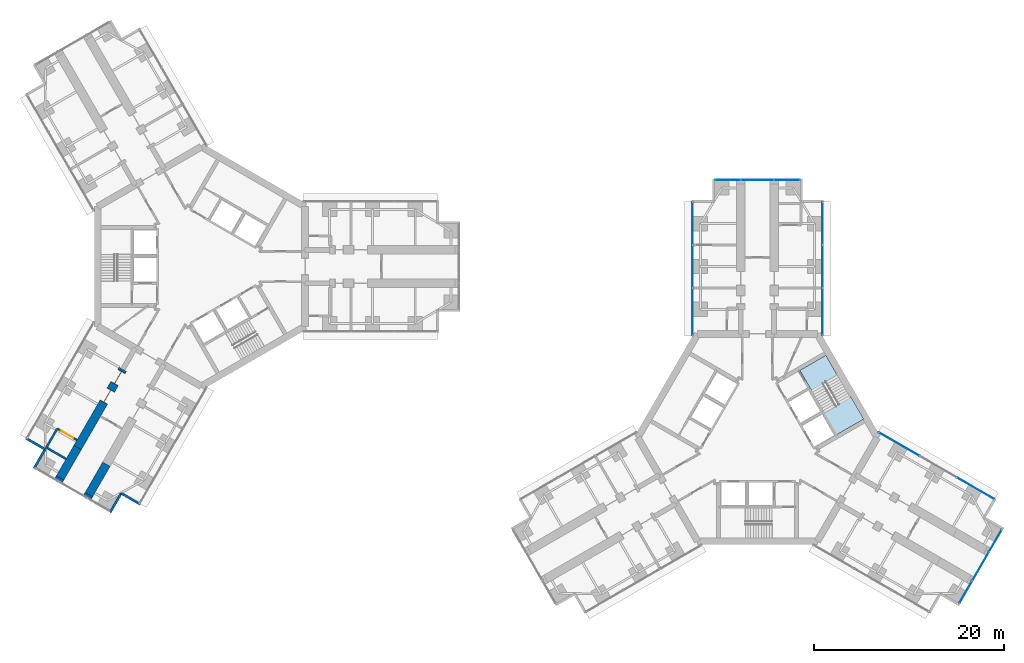
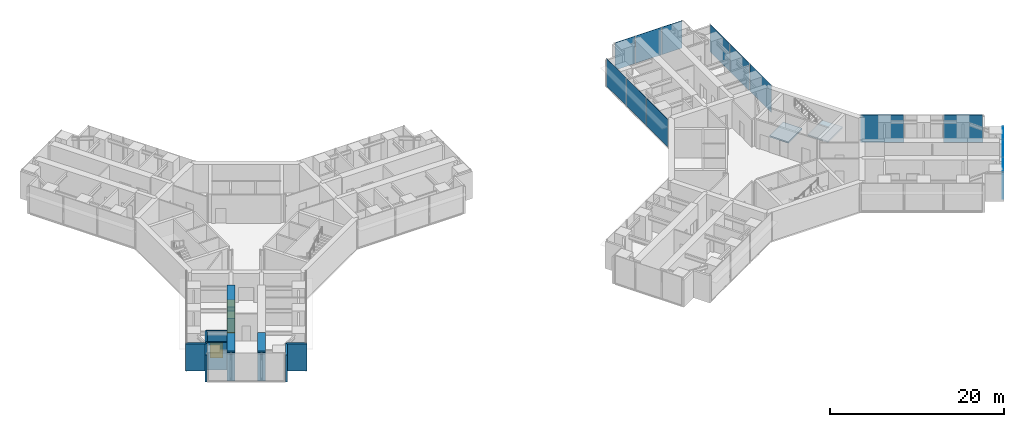
# One storey, part 15 of 23: 14 plates, 12 walls, 3 doors, 2 slabs, 3 openings, 6 elements without a shape of their own.
"""IFC4 building model written with IfcOpenShell, lengths in metres."""

import ifcopenshell
import ifcopenshell.guid

model = None  # the IFC model being written
_history = None  # IfcOwnerHistory: only IFC2X3 demands one
_inside = {}  # id of a spatial element -> (the spatial element, [elements in it])
_under = {}  # id of a project, library or spatial element -> (it, [spatial elements below it])
_declared = {}  # id of a project -> (the project, [libraries it declares])
_typed = {}  # id of a type object -> (the type object, [elements of that type])
_made_of = {}  # id of a material, layer set ... -> (it, [elements and type objects made of it])


def new_model(schema):
    """Start an empty IFC model of exactly this schema.

    Asked for "IFC4X3", IfcOpenShell would pick the latest addendum, in which some entities
    have other attributes; the version numbers below select the first issue.
    IFC2X3 requires an IfcOwnerHistory on every rooted entity: one is made here for all.
    """
    global model, _history
    if schema == "IFC4X3":
        model = ifcopenshell.file(schema_version=(4, 3, 0, 0))
    else:
        model = ifcopenshell.file(schema=schema)
    _inside.clear()
    _under.clear()
    _declared.clear()
    _typed.clear()
    _made_of.clear()
    _history = None
    if model.schema == "IFC2X3":
        org = make("IfcOrganization", Name="unknown")
        user = make(
            "IfcPersonAndOrganization",
            ThePerson=make("IfcPerson", FamilyName="unknown"),
            TheOrganization=org,
        )
        app = make(
            "IfcApplication",
            ApplicationDeveloper=org,
            Version="unknown",
            ApplicationFullName="unknown",
            ApplicationIdentifier="unknown",
        )
        _history = make(
            "IfcOwnerHistory",
            OwningUser=user,
            OwningApplication=app,
            ChangeAction="ADDED",
            CreationDate=0,
        )
    return model


def make(cls, **values):
    """One entity of the class cls with the attributes given. An attribute that is None is left unset."""
    return model.create_entity(
        cls, **{name: value for name, value in values.items() if value is not None}
    )


def rooted(cls, **values):
    """An entity with a GlobalId (a new one), such as an element, a storey or a relation."""
    return make(cls, GlobalId=ifcopenshell.guid.new(), OwnerHistory=_history, **values)


def si_unit(unit_type, name, prefix=None):
    """IfcSIUnit, for example si_unit("LENGTHUNIT", "METRE", prefix="MILLI")."""
    return make("IfcSIUnit", UnitType=unit_type, Prefix=prefix, Name=name)


def assignment(units):
    """IfcUnitAssignment: the units of a project."""
    return None if units is None else make("IfcUnitAssignment", Units=units)


def point(xyz):
    """IfcCartesianPoint."""
    return None if xyz is None else make("IfcCartesianPoint", Coordinates=xyz)


def direction(xyz):
    """IfcDirection."""
    return None if xyz is None else make("IfcDirection", DirectionRatios=xyz)


def frame(location, z_axis=None, x_axis=None):
    """IfcAxis2Placement3D, a coordinate frame: its origin and axes. An axis left out is left unset."""
    return make(
        "IfcAxis2Placement3D",
        Location=point(location),
        Axis=direction(z_axis),
        RefDirection=direction(x_axis),
    )


def frame_2d(location, x_axis=None):
    """IfcAxis2Placement2D, a coordinate frame in the plane: its origin and x axis."""
    return make(
        "IfcAxis2Placement2D", Location=point(location), RefDirection=direction(x_axis)
    )


def origin():
    """The frame at (0, 0, 0) with its axes left unset."""
    return frame((0.0, 0.0, 0.0))


def origin_2d():
    """The frame at (0, 0) in the plane with its x axis left unset."""
    return frame_2d((0.0, 0.0))


def place(relative_to, where):
    """IfcLocalPlacement: puts the frame where relative to a parent placement (None: the world)."""
    return make(
        "IfcLocalPlacement", PlacementRelTo=relative_to, RelativePlacement=where
    )


def context(
    kind, dimensions, precision=None, world=None, true_north=None, identifier=None
):
    """IfcGeometricRepresentationContext, for example the 3D "Model" context."""
    return make(
        "IfcGeometricRepresentationContext",
        ContextIdentifier=identifier,
        ContextType=kind,
        CoordinateSpaceDimension=dimensions,
        Precision=precision,
        WorldCoordinateSystem=world,
        TrueNorth=true_north,
    )


def subcontext(parent, identifier, kind, view, scale=None):
    """IfcGeometricRepresentationSubContext, for example "Body" below "Model"."""
    return make(
        "IfcGeometricRepresentationSubContext",
        ContextIdentifier=identifier,
        ContextType=kind,
        ParentContext=parent,
        TargetScale=scale,
        TargetView=view,
    )


def project(units=None, contexts=None):
    """IfcProject with its units and contexts."""
    return rooted(
        "IfcProject",
        Name="project",
        RepresentationContexts=contexts,
        UnitsInContext=assignment(units),
    )


def spatial(cls, under=None, at=None, **own):
    """A site, building, storey or space (cls), placed at a placement, below another one or the project."""
    s = rooted(cls, ObjectPlacement=at, **own)
    if under is not None:
        _under.setdefault(under.id(), (under, []))[1].append(s)
    return s


def polyline(points):
    """IfcPolyline through the points."""
    return make("IfcPolyline", Points=[point(p) for p in points])


def profile(cls, at=None, kind="AREA", **sizes):
    """A parametric profile (cls). Its sizes go by their IFC names, for example OverallWidth=200.0."""
    return make(cls, ProfileType=kind, Position=at, **sizes)


def rectangle(**sizes):
    """IfcRectangleProfileDef."""
    return profile("IfcRectangleProfileDef", **sizes)


def outline(outer, holes=None, kind="AREA"):
    """IfcArbitraryClosedProfileDef: a profile drawn as a closed curve; with holes, ...WithVoids."""
    if holes is None:
        return make("IfcArbitraryClosedProfileDef", ProfileType=kind, OuterCurve=outer)
    return make(
        "IfcArbitraryProfileDefWithVoids",
        ProfileType=kind,
        OuterCurve=outer,
        InnerCurves=holes,
    )


def extrude(swept, where, along, depth):
    """IfcExtrudedAreaSolid: the profile swept, set in the frame where, extruded along a direction by depth."""
    return make(
        "IfcExtrudedAreaSolid",
        SweptArea=swept,
        Position=where,
        ExtrudedDirection=direction(along),
        Depth=depth,
    )


def shape(context_of_items, identifier, shape_type, items):
    """IfcShapeRepresentation: the items that make up one representation, for example the "Body"."""
    return make(
        "IfcShapeRepresentation",
        ContextOfItems=context_of_items,
        RepresentationIdentifier=identifier,
        RepresentationType=shape_type,
        Items=items,
    )


def material(Name=None, Category=None):
    """IfcMaterial."""
    return make("IfcMaterial", Name=Name, Category=Category)


def layer(
    of_material, thickness, ventilated=None, Name=None, Category=None, Priority=None
):
    """IfcMaterialLayer: one layer of a wall or slab, of a material (None: an air gap)."""
    return make(
        "IfcMaterialLayer",
        Material=of_material,
        LayerThickness=thickness,
        IsVentilated=ventilated,
        Name=Name,
        Category=Category,
        Priority=Priority,
    )


def layer_set(layers, Name=None):
    """IfcMaterialLayerSet."""
    return make("IfcMaterialLayerSet", MaterialLayers=layers, LayerSetName=Name)


def made_of(thing, what):
    """Note that an element or type object is made of a material, layer set ...; save() writes the relation."""
    if what is not None:
        _made_of.setdefault(what.id(), (what, []))[1].append(thing)
    return thing


def type_object(cls, material=None, **own):
    """A type object (cls), such as IfcWallType, which elements share."""
    return made_of(rooted(cls, **own), material)


def element(
    cls,
    number,
    at=None,
    inside=None,
    cuts=None,
    type_object=None,
    material=None,
    context=None,
    identifier="Body",
    shape_type=None,
    held_by="IfcProductDefinitionShape",
    body=None,
    shapes=None,
    **own,
):
    """One element of the class cls, such as IfcWall. Its Tag is "e" and its number.

    at: its placement. inside: the storey or other place that contains it. cuts: it is an
    opening in that element (IfcRelVoidsElement). A single representation is given by context,
    identifier, shape_type and body (its items); several are given by shapes. held_by: the class
    of the entity that holds the representations. save() writes the other relations.
    """
    e = rooted(cls, Tag="e%d" % number, ObjectPlacement=at, **own)
    if body is not None:
        shapes = [shape(context, identifier, shape_type, body)]
    if shapes is not None:
        e.Representation = make(held_by, Representations=shapes)
    if inside is not None:
        _inside.setdefault(inside.id(), (inside, []))[1].append(e)
    if cuts is not None:
        rooted(
            "IfcRelVoidsElement", RelatingBuildingElement=cuts, RelatedOpeningElement=e
        )
    if type_object is not None:
        _typed.setdefault(type_object.id(), (type_object, []))[1].append(e)
    return made_of(e, material)


def fill(opening, filler):
    """IfcRelFillsElement: the door or window that sits in an opening."""
    return rooted(
        "IfcRelFillsElement",
        RelatingOpeningElement=opening,
        RelatedBuildingElement=filler,
    )


def aggregate(whole, parts):
    """IfcRelAggregates: a whole, such as a stair, and the parts it consists of."""
    return rooted("IfcRelAggregates", RelatingObject=whole, RelatedObjects=parts)


def save(model, path):
    """Write the relations noted so far, then the file.

    IfcRelAggregates (storeys below a building ...), IfcRelContainedInSpatialStructure (elements
    in a storey), IfcRelDefinesByType, IfcRelAssociatesMaterial and IfcRelDeclares: one each for
    every whole, place, type object, material and project.
    """
    for whole, parts in _under.values():
        aggregate(whole, parts)
    for where, things in _inside.values():
        rooted(
            "IfcRelContainedInSpatialStructure",
            RelatedElements=things,
            RelatingStructure=where,
        )
    for kind, things in _typed.values():
        rooted("IfcRelDefinesByType", RelatedObjects=things, RelatingType=kind)
    for what, things in _made_of.values():
        rooted("IfcRelAssociatesMaterial", RelatedObjects=things, RelatingMaterial=what)
    for by, libraries in _declared.values():
        rooted("IfcRelDeclares", RelatingContext=by, RelatedDefinitions=libraries)
    model.write(path)


model = new_model("IFC4")

# Units and contexts
model_context = context("Model", 3, precision=1e-05, world=origin(), true_north=direction((0.0, 1.0)))
body_context = subcontext(model_context, "Body", "Model", "MODEL_VIEW")
ifc_project = project(units=[si_unit("LENGTHUNIT", "METRE"), si_unit("AREAUNIT", "SQUARE_METRE"), si_unit("VOLUMEUNIT", "CUBIC_METRE"), si_unit("PLANEANGLEUNIT", "RADIAN"), si_unit("MASSUNIT", "GRAM", prefix="KILO")], contexts=[model_context])

# Site, building, storey
site_placement = place(None, origin())
site = spatial("IfcSite", under=ifc_project, at=site_placement, CompositionType="ELEMENT")
building_placement = place(site_placement, origin())
building = spatial("IfcBuilding", under=site, at=building_placement, Name="Upepo Twin Towers", CompositionType="ELEMENT")
storey_placement = place(building_placement, frame((0.0, 0.0, 24.5)))
storey = spatial("IfcBuildingStorey", under=building, at=storey_placement, Name="L05", CompositionType="ELEMENT", Elevation=24.5)

# Curtain wall, plates
ifc_material_1 = material(Name="Aluminium and fritted glass", Category="aluminium")
curtain_wall_type = type_object("IfcCurtainWallType", Name="Tower curtain wall TW1, fritted glass", PredefinedType="NOTDEFINED", material=ifc_material_1)
curtain_wall_1_placement = place(storey_placement, origin())
curtain_wall_1 = element("IfcCurtainWall", 1, at=curtain_wall_1_placement, inside=storey, type_object=curtain_wall_type, Name="T2 L05 wing A flank L curtain wall", PredefinedType="NOTDEFINED")
ifc_material_2 = material(Name="Ceramic-fritted laminated glass", Category="glass")
ifc_layer_1 = layer(ifc_material_2, 0.031982421875)
ifc_layer_set_1 = layer_set([ifc_layer_1], Name="Fritted glass panel, 20 per cent dot frit, 32 mm double glazed")
plate_type_1 = type_object("IfcPlateType", Name="Fritted glass panel, 20 per cent dot frit, 32 mm double glazed", PredefinedType="CURTAIN_PANEL", material=ifc_layer_set_1)
plate_1_placement = place(storey_placement, frame((51.64990234375, -4.76513671875, 0.14990234375), z_axis=(0.0, 0.0, 1.0), x_axis=(0.0, 1.0, 0.0)))
plate_1 = element("IfcPlate", 2, at=plate_1_placement, type_object=plate_type_1, Name="T2 L05 wing A flank L curtain wall panel 1", PredefinedType="CURTAIN_PANEL", context=body_context, shape_type="SweptSolid", body=[
    extrude(rectangle(XDim=4.96533203125, YDim=0.031982421875, at=origin_2d()), origin(), (0.0, 0.0, 1.0), 3.85009765625),
])
plate_2_placement = place(storey_placement, frame((51.64990234375, 0.0, 0.14990234375), z_axis=(0.0, 0.0, 1.0), x_axis=(0.0, 1.0, 0.0)))
plate_2 = element("IfcPlate", 3, at=plate_2_placement, type_object=plate_type_1, Name="T2 L05 wing A flank L curtain wall panel 2", PredefinedType="CURTAIN_PANEL", context=body_context, shape_type="SweptSolid", body=[
    extrude(rectangle(XDim=4.43505859375, YDim=0.031982421875, at=origin_2d()), origin(), (0.0, 0.0, 1.0), 3.85009765625),
])
plate_3_placement = place(storey_placement, frame((51.64990234375, 4.53369140625, 0.14990234375), z_axis=(0.0, 0.0, 1.0), x_axis=(0.0, 1.0, 0.0)))
plate_3 = element("IfcPlate", 4, at=plate_3_placement, type_object=plate_type_1, Name="T2 L05 wing A flank L curtain wall panel 3", PredefinedType="CURTAIN_PANEL", context=body_context, shape_type="SweptSolid", body=[
    extrude(rectangle(XDim=4.50244140625, YDim=0.031982421875, at=origin_2d()), origin(), (0.0, 0.0, 1.0), 3.85009765625),
])
aggregate(curtain_wall_1, [plate_1, plate_2, plate_3])

curtain_wall_2_placement = place(storey_placement, origin())
curtain_wall_2 = element("IfcCurtainWall", 5, at=curtain_wall_2_placement, inside=storey, type_object=curtain_wall_type, Name="T2 L05 wing A flank R curtain wall", PredefinedType="NOTDEFINED")
plate_4_placement = place(storey_placement, frame((65.35009765625, 4.53369140625, 0.14990234375), z_axis=(0.0, 0.0, 1.0), x_axis=(0.0, -1.0, 0.0)))
plate_4 = element("IfcPlate", 6, at=plate_4_placement, type_object=plate_type_1, Name="T2 L05 wing A flank R curtain wall panel 1", PredefinedType="CURTAIN_PANEL", context=body_context, shape_type="SweptSolid", body=[
    extrude(rectangle(XDim=4.50244140625, YDim=0.031982421875, at=origin_2d()), origin(), (0.0, 0.0, 1.0), 3.85009765625),
])
plate_5_placement = place(storey_placement, frame((65.35009765625, 0.0, 0.14990234375), z_axis=(0.0, 0.0, 1.0), x_axis=(0.0, -1.0, 0.0)))
plate_5 = element("IfcPlate", 7, at=plate_5_placement, type_object=plate_type_1, Name="T2 L05 wing A flank R curtain wall panel 2", PredefinedType="CURTAIN_PANEL", context=body_context, shape_type="SweptSolid", body=[
    extrude(rectangle(XDim=4.43505859375, YDim=0.031982421875, at=origin_2d()), origin(), (0.0, 0.0, 1.0), 3.85009765625),
])
plate_6_placement = place(storey_placement, frame((65.35009765625, -4.76513671875, 0.14990234375), z_axis=(0.0, 0.0, 1.0), x_axis=(0.0, -1.0, 0.0)))
plate_6 = element("IfcPlate", 8, at=plate_6_placement, type_object=plate_type_1, Name="T2 L05 wing A flank R curtain wall panel 3", PredefinedType="CURTAIN_PANEL", context=body_context, shape_type="SweptSolid", body=[
    extrude(rectangle(XDim=4.96533203125, YDim=0.031982421875, at=origin_2d()), origin(), (0.0, 0.0, 1.0), 3.85009765625),
])
aggregate(curtain_wall_2, [plate_4, plate_5, plate_6])

# Curtain wall, plate
curtain_wall_3_placement = place(storey_placement, origin())
curtain_wall_3 = element("IfcCurtainWall", 9, at=curtain_wall_3_placement, inside=storey, type_object=curtain_wall_type, Name="T2 L05 wing A nose curtain wall", PredefinedType="NOTDEFINED")
plate_7_placement = place(storey_placement, frame((58.5, 9.10009765625, 0.14990234375), z_axis=(0.0, 0.0, 1.0), x_axis=(-1.0, 0.0, 0.0)))
plate_7 = element("IfcPlate", 10, at=plate_7_placement, type_object=plate_type_1, Name="T2 L05 wing A nose curtain wall panel 2", PredefinedType="CURTAIN_PANEL", context=body_context, shape_type="SweptSolid", body=[
    extrude(rectangle(XDim=3.43505859375, YDim=0.031982421875, at=origin_2d()), origin(), (0.0, 0.0, 1.0), 3.85009765625),
])

# Curtain wall, plates
curtain_wall_4_placement = place(storey_placement, origin())
curtain_wall_4 = element("IfcCurtainWall", 11, at=curtain_wall_4_placement, inside=storey, type_object=curtain_wall_type, Name="T2 L05 wing C flank L curtain wall", PredefinedType="NOTDEFINED")
plate_8_placement = place(storey_placement, frame((73.38671875, -18.68505859375, 0.14990234375), z_axis=(0.0, 0.0, 1.0), x_axis=(0.866025389682, -0.500000024426, 0.0)))
plate_8 = element("IfcPlate", 12, at=plate_8_placement, type_object=plate_type_1, Name="T2 L05 wing C flank L curtain wall panel 1", PredefinedType="CURTAIN_PANEL", context=body_context, shape_type="SweptSolid", body=[
    extrude(rectangle(XDim=4.96533203125, YDim=0.031982421875, at=origin_2d()), origin(), (0.0, 0.0, 1.0), 3.85009765625),
])
plate_9_placement = place(storey_placement, frame((81.439697265625, -23.334716796875, 0.14990234375), z_axis=(0.0, 0.0, 1.0), x_axis=(0.866025389682, -0.500000024426, 0.0)))
plate_9 = element("IfcPlate", 13, at=plate_9_placement, type_object=plate_type_1, Name="T2 L05 wing C flank L curtain wall panel 3", PredefinedType="CURTAIN_PANEL", context=body_context, shape_type="SweptSolid", body=[
    extrude(rectangle(XDim=4.50244140625, YDim=0.031982421875, at=origin_2d()), origin(), (0.0, 0.0, 1.0), 3.85009765625),
])
aggregate(curtain_wall_4, [plate_8, plate_9])

# Curtain wall, plate
curtain_wall_5_placement = place(storey_placement, origin())
curtain_wall_5 = element("IfcCurtainWall", 14, at=curtain_wall_5_placement, inside=storey, type_object=curtain_wall_type, Name="T2 L05 wing C nose curtain wall", PredefinedType="NOTDEFINED")
plate_10_placement = place(storey_placement, frame((81.96923828125, -31.550048828125, 0.14990234375), z_axis=(0.0, 0.0, 1.0), x_axis=(0.500000030502, 0.866025386174, 0.0)))
plate_10 = element("IfcPlate", 15, at=plate_10_placement, type_object=plate_type_1, Name="T2 L05 wing C nose curtain wall panel 2", PredefinedType="CURTAIN_PANEL", context=body_context, shape_type="SweptSolid", body=[
    extrude(rectangle(XDim=3.43505859375, YDim=0.031982421875, at=origin_2d()), origin(), (0.0, 0.0, 1.0), 3.85009765625),
])

# Plate
ifc_material_3 = material(Name="Clear laminated glass in opening sash", Category="glass")
ifc_layer_2 = layer(ifc_material_3, 0.031982421875)
ifc_layer_set_2 = layer_set([ifc_layer_2], Name="Operable glass panel, 32 mm double glazed")
plate_type_2 = type_object("IfcPlateType", Name="Operable glass panel, 32 mm double glazed", PredefinedType="CURTAIN_PANEL", material=ifc_layer_set_2)
plate_11_placement = place(storey_placement, frame((61.608642578125, 9.10009765625, 0.14990234375), z_axis=(0.0, 0.0, 1.0), x_axis=(-1.0, 0.0, 0.0)))
plate_11 = element("IfcPlate", 16, at=plate_11_placement, type_object=plate_type_2, Name="T2 L05 wing A nose curtain wall panel 1", PredefinedType="CURTAIN_PANEL", context=body_context, shape_type="SweptSolid", body=[
    extrude(rectangle(XDim=2.652587890625, YDim=0.031982421875, at=origin_2d()), origin(), (0.0, 0.0, 1.0), 3.85009765625),
])

plate_12_placement = place(storey_placement, frame((55.391357421875, 9.10009765625, 0.14990234375), z_axis=(0.0, 0.0, 1.0), x_axis=(-1.0, 0.0, 0.0)))
plate_12 = element("IfcPlate", 17, at=plate_12_placement, type_object=plate_type_2, Name="T2 L05 wing A nose curtain wall panel 3", PredefinedType="CURTAIN_PANEL", context=body_context, shape_type="SweptSolid", body=[
    extrude(rectangle(XDim=2.652587890625, YDim=0.031982421875, at=origin_2d()), origin(), (0.0, 0.0, 1.0), 3.85009765625),
])

aggregate(curtain_wall_3, [plate_11, plate_7, plate_12])

plate_13_placement = place(storey_placement, frame((80.414794921875, -34.2421875, 0.14990234375), z_axis=(0.0, 0.0, 1.0), x_axis=(0.500000030502, 0.866025386174, 0.0)))
plate_13 = element("IfcPlate", 18, at=plate_13_placement, type_object=plate_type_2, Name="T2 L05 wing C nose curtain wall panel 1", PredefinedType="CURTAIN_PANEL", context=body_context, shape_type="SweptSolid", body=[
    extrude(rectangle(XDim=2.652587890625, YDim=0.031982421875, at=origin_2d()), origin(), (0.0, 0.0, 1.0), 3.85009765625),
])

plate_14_placement = place(storey_placement, frame((83.523681640625, -28.857666015625, 0.14990234375), z_axis=(0.0, 0.0, 1.0), x_axis=(0.500000030502, 0.866025386174, 0.0)))
plate_14 = element("IfcPlate", 19, at=plate_14_placement, type_object=plate_type_2, Name="T2 L05 wing C nose curtain wall panel 3", PredefinedType="CURTAIN_PANEL", context=body_context, shape_type="SweptSolid", body=[
    extrude(rectangle(XDim=2.652587890625, YDim=0.031982421875, at=origin_2d()), origin(), (0.0, 0.0, 1.0), 3.85009765625),
])

aggregate(curtain_wall_5, [plate_13, plate_10, plate_14])

# Stair, slabs
ifc_material_4 = material(Name="Concrete C40/50", Category="concrete")
stair_type = type_object("IfcStairType", Name="Core stair, two flights", PredefinedType="HALF_TURN_STAIR", material=ifc_material_4)
stair_placement = place(storey_placement, origin())
stair = element("IfcStair", 20, at=stair_placement, inside=storey, type_object=stair_type, Name="T2 stair S2 L05", PredefinedType="HALF_TURN_STAIR")
ifc_material_5 = material(Name="Concrete C40/50", Category="concrete")
ifc_layer_3 = layer(ifc_material_5, 0.199951171875)
ifc_layer_set_3 = layer_set([ifc_layer_3], Name="Concrete C40/50")
slab_type = type_object("IfcSlabType", Name="Stair landing 200 RC", PredefinedType="LANDING", material=ifc_layer_set_3)
slab_1_placement = place(storey_placement, frame((0.0, 0.0, -0.199951171875)))
slab_1 = element("IfcSlab", 21, at=slab_1_placement, type_object=slab_type, Name="Stair S2 landing 1", PredefinedType="LANDING", context=body_context, shape_type="SweptSolid", body=[
    extrude(outline(polyline([(64.198486328125, -13.0703125), (66.933837890625, -11.490966796875), (65.69384765625, -9.34326171875), (62.95849609375, -10.922607421875), (64.198486328125, -13.0703125)])), origin(), (0.0, 0.0, 1.0), 0.199951171875),
])
slab_2_placement = place(storey_placement, frame((0.0, 0.0, 1.800048828125)))
slab_2 = element("IfcSlab", 22, at=slab_2_placement, type_object=slab_type, Name="Stair S2 landing 2", PredefinedType="LANDING", context=body_context, shape_type="SweptSolid", body=[
    extrude(outline(polyline([(66.77197265625, -17.7275390625), (69.680419921875, -16.04833984375), (68.3203125, -13.692626953125), (65.411865234375, -15.371826171875), (66.77197265625, -17.7275390625)])), origin(), (0.0, 0.0, 1.0), 0.199951171875),
])
aggregate(stair, [slab_1, slab_2])

# Wall
ifc_material_6 = material(Name="Concrete blockwork, plastered both faces", Category="masonry")
ifc_layer_4 = layer(ifc_material_6, 0.215087890625)
ifc_layer_set_4 = layer_set([ifc_layer_4], Name="Blockwork partition 215")
wall_type_1 = type_object("IfcWallType", Name="Blockwork partition 215", PredefinedType="PARTITIONING", material=ifc_layer_set_4)
wall_1_placement = place(storey_placement, frame((-15.15869140625, -17.0556640625, 0.0), z_axis=(0.0, 0.0, 1.0), x_axis=(-0.500001309137, -0.866024647952, 0.0)))
element("IfcWall", 23, at=wall_1_placement, inside=storey, type_object=wall_type_1, Name="T1 inner room partition CR at 22.35", PredefinedType="PARTITIONING", context=body_context, shape_type="SweptSolid", body=[
    extrude(rectangle(XDim=2.39990234375, YDim=0.215087890625, at=frame_2d((1.199951171875, 0.0))), origin(), (0.0, 0.0, 1.0), 3.800048828125),
])

# Wall, opening, door
wall_2_placement = place(storey_placement, frame((-13.080322265625, -18.255615234375, 0.0), z_axis=(0.0, 0.0, 1.0), x_axis=(-0.866024647952, 0.500001309137, 0.0)))
wall_2 = element("IfcWall", 24, at=wall_2_placement, inside=storey, type_object=wall_type_1, Name="T1 inner room partition CR end at 22.35", PredefinedType="PARTITIONING", context=body_context, shape_type="SweptSolid", body=[
    extrude(rectangle(XDim=2.39990234375, YDim=0.215087890625, at=frame_2d((1.199951171875, 0.0))), origin(), (0.0, 0.0, 1.0), 3.800048828125),
])
opening_1_placement = place(wall_2_placement, frame((0.449951171875, 0.0, 0.0)))
opening_1 = element("IfcOpeningElement", 25, at=opening_1_placement, cuts=wall_2, Name="Opening D13", PredefinedType="OPENING", context=body_context, shape_type="SweptSolid", body=[
    extrude(rectangle(XDim=1.5, YDim=2.10009765625, at=frame_2d((0.75, 1.050048828125))), frame((0.0, 0.117431640625, 0.0), z_axis=(0.0, -1.0, 0.0), x_axis=(1.0, 0.0, 0.0)), (0.0, 0.0, 1.0), 0.235107421875),
])
ifc_material_7 = material(Name="Timber doorset", Category="wood")
door_type = type_object("IfcDoorType", Name="Double door 1500 FD30", OperationType="DOUBLE_DOOR_SINGLE_SWING", PredefinedType="DOOR", material=ifc_material_7)
door_1_placement = place(opening_1_placement, origin())
door_1 = element("IfcDoor", 26, at=door_1_placement, inside=storey, type_object=door_type, Name="T1 L05 inner room door", OperationType="DOUBLE_DOOR_SINGLE_SWING", OverallHeight=2.10009765625, OverallWidth=1.5, PredefinedType="DOOR", context=body_context, shape_type="SweptSolid", body=[
    extrude(rectangle(XDim=1.5, YDim=2.10009765625, at=frame_2d((0.75, 1.050048828125))), frame((0.0, 0.02490234375, 0.0), z_axis=(0.0, -1.0, 0.0), x_axis=(1.0, 0.0, 0.0)), (0.0, 0.0, 1.0), 0.050048828125),
])
fill(opening_1, door_1)

# Walls
wall_3_placement = place(storey_placement, frame((-14.2265625, -20.240966796875, 0.0), z_axis=(0.0, 0.0, 1.0), x_axis=(-0.866024647952, 0.500001309137, 0.0)))
element("IfcWall", 27, at=wall_3_placement, inside=storey, type_object=wall_type_1, Name="T1 inner room partition CR end at 24.75", PredefinedType="PARTITIONING", context=body_context, shape_type="SweptSolid", body=[
    extrude(rectangle(XDim=2.39990234375, YDim=0.215087890625, at=frame_2d((1.199951171875, 0.0))), origin(), (0.0, 0.0, 1.0), 3.800048828125),
])
ifc_material_8 = material(Name="Dense concrete blockwork", Category="masonry")
ifc_layer_5 = layer(ifc_material_8, 0.89990234375)
ifc_layer_set_5 = layer_set([ifc_layer_5], Name="Buttress closer 900, blockwork with fire-stopping to the curtain wall")
wall_type_2 = type_object("IfcWallType", Name="Buttress closer 900, blockwork with fire-stopping to the curtain wall", PredefinedType="PARTITIONING", material=ifc_layer_set_5)
for number, where, z_axis, x_axis, name in (
    (28, (-11.83447265625, -23.997802734375, 0.0), (0.0, 0.0, 1.0), (-0.499949632511, -0.866054481515, 0.0), "T1 L05 wing C buttress closer L"),
    (29, (-14.865478515625, -22.247802734375, 0.0), (0.0, 0.0, 1.0), (-0.499949632511, -0.866054481515, 0.0), "T1 L05 wing C buttress closer R"),
):
    element("IfcWall", number, at=place(storey_placement, frame(where, z_axis=z_axis, x_axis=x_axis)), inside=storey, type_object=wall_type_2, Name=name, PredefinedType="PARTITIONING", context=body_context, shape_type="SweptSolid", body=[
        extrude(rectangle(XDim=0.31005859375, YDim=0.89990234375, at=frame_2d((0.155029296875, 0.0))), origin(), (0.0, 0.0, 1.0), 3.800048828125),
    ])
ifc_material_9 = material(Name="Concrete C60/75", Category="concrete")
ifc_layer_6 = layer(ifc_material_9, 0.89990234375)
ifc_layer_set_6 = layer_set([ifc_layer_6], Name="Concrete C60/75")
wall_type_3 = type_object("IfcWallType", Name="Buttress wall 900 RC", PredefinedType="SHEAR", material=ifc_layer_set_6)
wall_4_placement = place(storey_placement, frame((-9.984375, -20.793701171875, 0.0), z_axis=(0.0, 0.0, 1.0), x_axis=(-0.500042316284, -0.866000971088, 0.0)))
element("IfcWall", 30, at=wall_4_placement, inside=storey, type_object=wall_type_3, Name="T1 wing C buttress wall L part 3", PredefinedType="SHEAR", context=body_context, shape_type="SweptSolid", body=[
    extrude(rectangle(XDim=3.699951171875, YDim=0.89990234375, at=frame_2d((1.85009765625, 0.0))), origin(), (0.0, 0.0, 1.0), 4.0),
])

# Wall, openings, doors
wall_5_placement = place(storey_placement, frame((-8.265625, -10.81640625, 0.0), z_axis=(0.0, 0.0, 1.0), x_axis=(-0.499997557548, -0.86602681393, 0.0)))
wall_5 = element("IfcWall", 31, at=wall_5_placement, inside=storey, type_object=wall_type_3, Name="T1 wing C buttress wall R part 2", PredefinedType="SHEAR", context=body_context, shape_type="SweptSolid", body=[
    extrude(rectangle(XDim=9.5, YDim=0.89990234375, at=frame_2d((4.75, 0.0))), origin(), (0.0, 0.0, 1.0), 4.0),
])
opening_2_placement = place(wall_5_placement, frame((0.25, 0.0, 0.0)))
opening_2 = element("IfcOpeningElement", 32, at=opening_2_placement, cuts=wall_5, Name="Opening D13", PredefinedType="OPENING", context=body_context, shape_type="SweptSolid", body=[
    extrude(rectangle(XDim=1.5, YDim=2.10009765625, at=frame_2d((0.75, 1.050048828125))), frame((0.0, 0.4599609375, 0.0), z_axis=(0.0, -1.0, 0.0), x_axis=(1.0, 0.0, 0.0)), (0.0, 0.0, 1.0), 0.919921875),
])
opening_3_placement = place(wall_5_placement, frame((2.5, 0.0, 0.0)))
opening_3 = element("IfcOpeningElement", 33, at=opening_3_placement, cuts=wall_5, Name="Opening D13", PredefinedType="OPENING", context=body_context, shape_type="SweptSolid", body=[
    extrude(rectangle(XDim=1.5, YDim=2.10009765625, at=frame_2d((0.75, 1.050048828125))), frame((0.0, 0.4599609375, 0.0), z_axis=(0.0, -1.0, 0.0), x_axis=(1.0, 0.0, 0.0)), (0.0, 0.0, 1.0), 0.919921875),
])
door_2_placement = place(opening_2_placement, origin())
door_2 = element("IfcDoor", 34, at=door_2_placement, inside=storey, type_object=door_type, Name="T1 L05 teaching laboratory door", OperationType="DOUBLE_DOOR_SINGLE_SWING", OverallHeight=2.10009765625, OverallWidth=1.5, PredefinedType="DOOR", context=body_context, shape_type="SweptSolid", body=[
    extrude(rectangle(XDim=1.42, YDim=2.06009765625, at=frame_2d((0.75, 1.030029296875))), frame((0.0, 0.02490234375, 0.0), z_axis=(0.0, -1.0, 0.0), x_axis=(1.0, 0.0, 0.0)), (0.0, 0.0, 1.0), 0.050048828125),
    extrude(rectangle(XDim=0.04, YDim=2.10009765625, at=frame_2d((0.02001953125, 1.050048828125))), frame((0.0, 0.44970703125, 0.0), z_axis=(0.0, -1.0, 0.0), x_axis=(1.0, 0.0, 0.0)), (0.0, 0.0, 1.0), 0.8994140625),
    extrude(rectangle(XDim=0.04, YDim=2.10009765625, at=frame_2d((1.47998046875, 1.050048828125))), frame((0.0, 0.44970703125, 0.0), z_axis=(0.0, -1.0, 0.0), x_axis=(1.0, 0.0, 0.0)), (0.0, 0.0, 1.0), 0.8994140625),
    extrude(rectangle(XDim=1.42, YDim=0.04, at=frame_2d((0.75, 2.080078125))), frame((0.0, 0.44970703125, 0.0), z_axis=(0.0, -1.0, 0.0), x_axis=(1.0, 0.0, 0.0)), (0.0, 0.0, 1.0), 0.8994140625),
])
fill(opening_2, door_2)
door_3_placement = place(opening_3_placement, origin())
door_3 = element("IfcDoor", 35, at=door_3_placement, inside=storey, type_object=door_type, Name="T1 L05 teaching laboratory door", OperationType="DOUBLE_DOOR_SINGLE_SWING", OverallHeight=2.10009765625, OverallWidth=1.5, PredefinedType="DOOR", context=body_context, shape_type="SweptSolid", body=[
    extrude(rectangle(XDim=1.42, YDim=2.06009765625, at=frame_2d((0.75, 1.030029296875))), frame((0.0, 0.02490234375, 0.0), z_axis=(0.0, -1.0, 0.0), x_axis=(1.0, 0.0, 0.0)), (0.0, 0.0, 1.0), 0.050048828125),
    extrude(rectangle(XDim=0.04, YDim=2.10009765625, at=frame_2d((0.02001953125, 1.050048828125))), frame((0.0, 0.44970703125, 0.0), z_axis=(0.0, -1.0, 0.0), x_axis=(1.0, 0.0, 0.0)), (0.0, 0.0, 1.0), 0.8994140625),
    extrude(rectangle(XDim=0.04, YDim=2.10009765625, at=frame_2d((1.47998046875, 1.050048828125))), frame((0.0, 0.44970703125, 0.0), z_axis=(0.0, -1.0, 0.0), x_axis=(1.0, 0.0, 0.0)), (0.0, 0.0, 1.0), 0.8994140625),
    extrude(rectangle(XDim=1.42, YDim=0.04, at=frame_2d((0.75, 2.080078125))), frame((0.0, 0.44970703125, 0.0), z_axis=(0.0, -1.0, 0.0), x_axis=(1.0, 0.0, 0.0)), (0.0, 0.0, 1.0), 0.8994140625),
])
fill(opening_3, door_3)

# Walls
wall_6_placement = place(storey_placement, frame((-13.015625, -19.043701171875, 0.0), z_axis=(0.0, 0.0, 1.0), x_axis=(-0.499992827086, -0.866029545028, 0.0)))
element("IfcWall", 36, at=wall_6_placement, inside=storey, type_object=wall_type_3, Name="T1 wing C buttress wall R part 3", PredefinedType="SHEAR", context=body_context, shape_type="SweptSolid", body=[
    extrude(rectangle(XDim=3.69970703125, YDim=0.89990234375, at=frame_2d((1.849853515625, 0.0))), origin(), (0.0, 0.0, 1.0), 4.0),
])
ifc_material_10 = material(Name="Blockwork with anodised aluminium cladding", Category="masonry")
ifc_layer_7 = layer(ifc_material_10, 0.25)
ifc_layer_set_7 = layer_set([ifc_layer_7], Name="Notch cladding wall 250, pale metal")
wall_type_4 = type_object("IfcWallType", Name="Notch cladding wall 250, pale metal", PredefinedType="STANDARD", material=ifc_layer_set_7)
for number, where, z_axis, x_axis, name in (
    (37, (-6.418701171875, -25.017333984375, 0.0), (0.0, 0.0, 1.0), (-0.866043940782, 0.499967891604, 0.0), "T1 L05 wing C notch wall L1"),
    (38, (-8.43212890625, -23.85498046875, 0.0), (0.0, 0.0, 1.0), (-0.500046648681, -0.865998469481, 0.0), "T1 L05 wing C notch wall L2"),
    (39, (-18.456298828125, -18.0673828125, 0.0), (0.0, 0.0, 1.0), (0.865998469481, -0.500046648681, 0.0), "T1 L05 wing C notch wall R1"),
    (40, (-16.44287109375, -19.22998046875, 0.0), (0.0, 0.0, 1.0), (-0.500046648681, -0.865998469481, 0.0), "T1 L05 wing C notch wall R2"),
):
    element("IfcWall", number, at=place(storey_placement, frame(where, z_axis=z_axis, x_axis=x_axis)), inside=storey, type_object=wall_type_4, Name=name, PredefinedType="STANDARD", context=body_context, shape_type="SweptSolid", body=[
        extrude(rectangle(XDim=2.324951171875, YDim=0.25, at=frame_2d((1.16259765625, 0.0))), origin(), (0.0, 0.0, 1.0), 3.800048828125),
    ])

save(model, "model.ifc")
